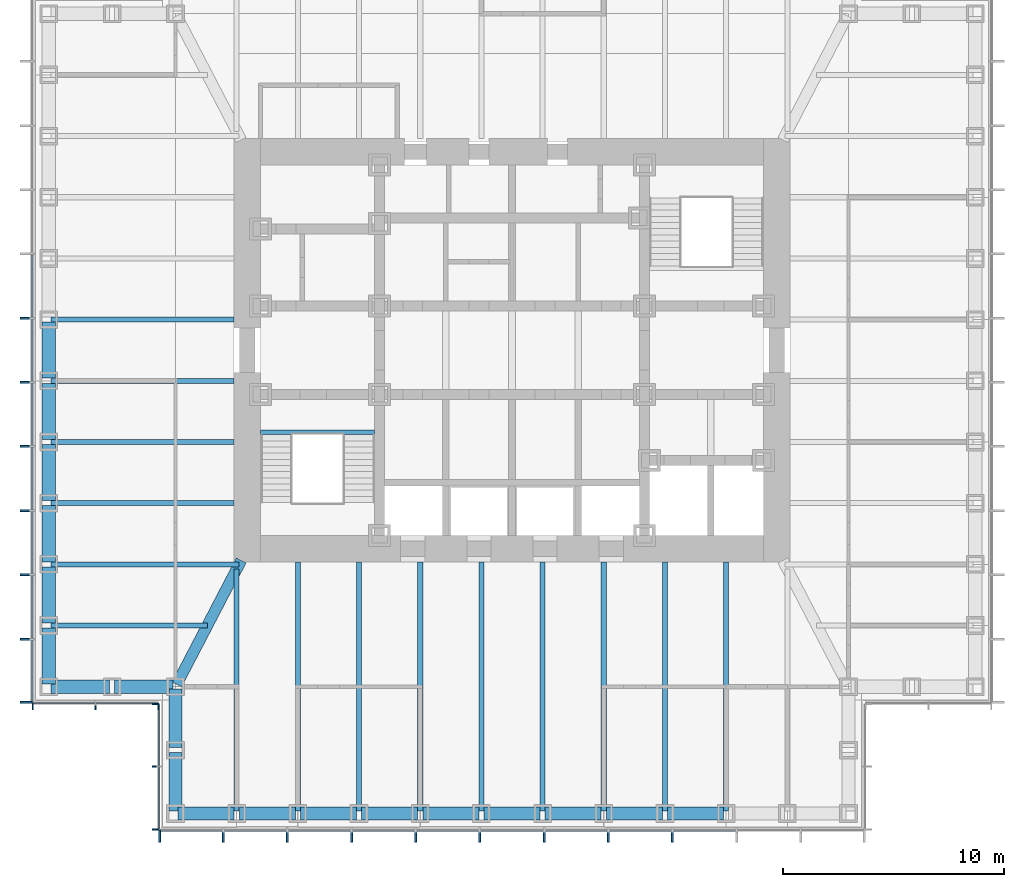
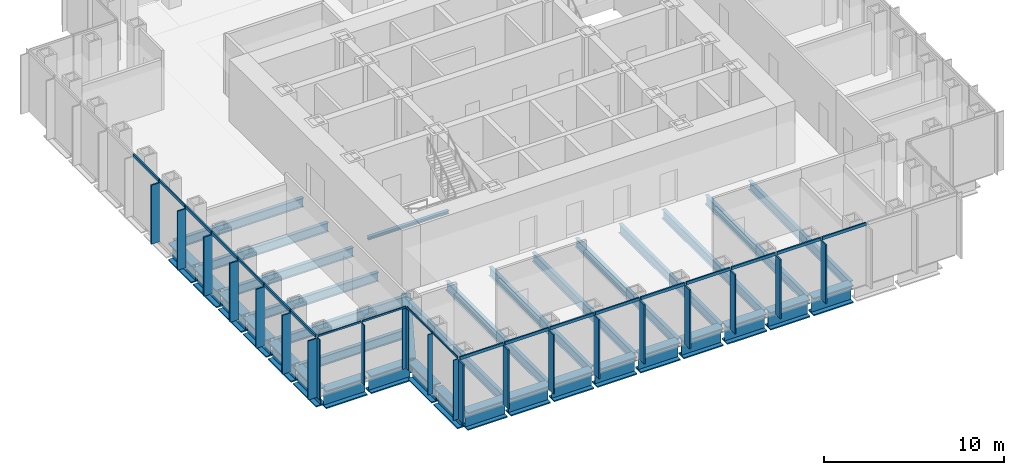
# One storey, part 2 of 16: 42 members, 36 beams, 4 elements without a shape of their own.
"""IFC4 building model written with IfcOpenShell, lengths in metres."""

import ifcopenshell
import ifcopenshell.guid

model = None  # the IFC model being written
_history = None  # IfcOwnerHistory: only IFC2X3 demands one
_inside = {}  # id of a spatial element -> (the spatial element, [elements in it])
_under = {}  # id of a project, library or spatial element -> (it, [spatial elements below it])
_declared = {}  # id of a project -> (the project, [libraries it declares])
_typed = {}  # id of a type object -> (the type object, [elements of that type])
_made_of = {}  # id of a material, layer set ... -> (it, [elements and type objects made of it])


def new_model(schema):
    """Start an empty IFC model of exactly this schema.

    Asked for "IFC4X3", IfcOpenShell would pick the latest addendum, in which some entities
    have other attributes; the version numbers below select the first issue.
    IFC2X3 requires an IfcOwnerHistory on every rooted entity: one is made here for all.
    """
    global model, _history
    if schema == "IFC4X3":
        model = ifcopenshell.file(schema_version=(4, 3, 0, 0))
    else:
        model = ifcopenshell.file(schema=schema)
    _inside.clear()
    _under.clear()
    _declared.clear()
    _typed.clear()
    _made_of.clear()
    _history = None
    if model.schema == "IFC2X3":
        org = make("IfcOrganization", Name="unknown")
        user = make(
            "IfcPersonAndOrganization",
            ThePerson=make("IfcPerson", FamilyName="unknown"),
            TheOrganization=org,
        )
        app = make(
            "IfcApplication",
            ApplicationDeveloper=org,
            Version="unknown",
            ApplicationFullName="unknown",
            ApplicationIdentifier="unknown",
        )
        _history = make(
            "IfcOwnerHistory",
            OwningUser=user,
            OwningApplication=app,
            ChangeAction="ADDED",
            CreationDate=0,
        )
    return model


def make(cls, **values):
    """One entity of the class cls with the attributes given. An attribute that is None is left unset."""
    return model.create_entity(
        cls, **{name: value for name, value in values.items() if value is not None}
    )


def rooted(cls, **values):
    """An entity with a GlobalId (a new one), such as an element, a storey or a relation."""
    return make(cls, GlobalId=ifcopenshell.guid.new(), OwnerHistory=_history, **values)


def si_unit(unit_type, name, prefix=None):
    """IfcSIUnit, for example si_unit("LENGTHUNIT", "METRE", prefix="MILLI")."""
    return make("IfcSIUnit", UnitType=unit_type, Prefix=prefix, Name=name)


def assignment(units):
    """IfcUnitAssignment: the units of a project."""
    return None if units is None else make("IfcUnitAssignment", Units=units)


def point(xyz):
    """IfcCartesianPoint."""
    return None if xyz is None else make("IfcCartesianPoint", Coordinates=xyz)


def direction(xyz):
    """IfcDirection."""
    return None if xyz is None else make("IfcDirection", DirectionRatios=xyz)


def frame(location, z_axis=None, x_axis=None):
    """IfcAxis2Placement3D, a coordinate frame: its origin and axes. An axis left out is left unset."""
    return make(
        "IfcAxis2Placement3D",
        Location=point(location),
        Axis=direction(z_axis),
        RefDirection=direction(x_axis),
    )


def frame_2d(location, x_axis=None):
    """IfcAxis2Placement2D, a coordinate frame in the plane: its origin and x axis."""
    return make(
        "IfcAxis2Placement2D", Location=point(location), RefDirection=direction(x_axis)
    )


def origin():
    """The frame at (0, 0, 0) with its axes left unset."""
    return frame((0.0, 0.0, 0.0))


def origin_2d():
    """The frame at (0, 0) in the plane with its x axis left unset."""
    return frame_2d((0.0, 0.0))


def place(relative_to, where):
    """IfcLocalPlacement: puts the frame where relative to a parent placement (None: the world)."""
    return make(
        "IfcLocalPlacement", PlacementRelTo=relative_to, RelativePlacement=where
    )


def context(
    kind, dimensions, precision=None, world=None, true_north=None, identifier=None
):
    """IfcGeometricRepresentationContext, for example the 3D "Model" context."""
    return make(
        "IfcGeometricRepresentationContext",
        ContextIdentifier=identifier,
        ContextType=kind,
        CoordinateSpaceDimension=dimensions,
        Precision=precision,
        WorldCoordinateSystem=world,
        TrueNorth=true_north,
    )


def subcontext(parent, identifier, kind, view, scale=None):
    """IfcGeometricRepresentationSubContext, for example "Body" below "Model"."""
    return make(
        "IfcGeometricRepresentationSubContext",
        ContextIdentifier=identifier,
        ContextType=kind,
        ParentContext=parent,
        TargetScale=scale,
        TargetView=view,
    )


def project(units=None, contexts=None):
    """IfcProject with its units and contexts."""
    return rooted(
        "IfcProject",
        Name="project",
        RepresentationContexts=contexts,
        UnitsInContext=assignment(units),
    )


def spatial(cls, under=None, at=None, **own):
    """A site, building, storey or space (cls), placed at a placement, below another one or the project."""
    s = rooted(cls, ObjectPlacement=at, **own)
    if under is not None:
        _under.setdefault(under.id(), (under, []))[1].append(s)
    return s


def profile(cls, at=None, kind="AREA", **sizes):
    """A parametric profile (cls). Its sizes go by their IFC names, for example OverallWidth=200.0."""
    return make(cls, ProfileType=kind, Position=at, **sizes)


def rectangle(**sizes):
    """IfcRectangleProfileDef."""
    return profile("IfcRectangleProfileDef", **sizes)


def i_section(**sizes):
    """IfcIShapeProfileDef."""
    return profile("IfcIShapeProfileDef", **sizes)


def extrude(swept, where, along, depth):
    """IfcExtrudedAreaSolid: the profile swept, set in the frame where, extruded along a direction by depth."""
    return make(
        "IfcExtrudedAreaSolid",
        SweptArea=swept,
        Position=where,
        ExtrudedDirection=direction(along),
        Depth=depth,
    )


def shape(context_of_items, identifier, shape_type, items):
    """IfcShapeRepresentation: the items that make up one representation, for example the "Body"."""
    return make(
        "IfcShapeRepresentation",
        ContextOfItems=context_of_items,
        RepresentationIdentifier=identifier,
        RepresentationType=shape_type,
        Items=items,
    )


def material(Name=None, Category=None):
    """IfcMaterial."""
    return make("IfcMaterial", Name=Name, Category=Category)


def material_profile(
    of_material, cross_section, Name=None, Category=None, Priority=None
):
    """IfcMaterialProfile: a cross section and its material."""
    return make(
        "IfcMaterialProfile",
        Name=Name,
        Material=of_material,
        Profile=cross_section,
        Priority=Priority,
        Category=Category,
    )


def profile_set(profiles, Name=None, composite=None):
    """IfcMaterialProfileSet."""
    return make(
        "IfcMaterialProfileSet",
        Name=Name,
        MaterialProfiles=profiles,
        CompositeProfile=composite,
    )


def made_of(thing, what):
    """Note that an element or type object is made of a material, layer set ...; save() writes the relation."""
    if what is not None:
        _made_of.setdefault(what.id(), (what, []))[1].append(thing)
    return thing


def type_object(cls, material=None, **own):
    """A type object (cls), such as IfcWallType, which elements share."""
    return made_of(rooted(cls, **own), material)


def element(
    cls,
    number,
    at=None,
    inside=None,
    cuts=None,
    type_object=None,
    material=None,
    context=None,
    identifier="Body",
    shape_type=None,
    held_by="IfcProductDefinitionShape",
    body=None,
    shapes=None,
    **own,
):
    """One element of the class cls, such as IfcWall. Its Tag is "e" and its number.

    at: its placement. inside: the storey or other place that contains it. cuts: it is an
    opening in that element (IfcRelVoidsElement). A single representation is given by context,
    identifier, shape_type and body (its items); several are given by shapes. held_by: the class
    of the entity that holds the representations. save() writes the other relations.
    """
    e = rooted(cls, Tag="e%d" % number, ObjectPlacement=at, **own)
    if body is not None:
        shapes = [shape(context, identifier, shape_type, body)]
    if shapes is not None:
        e.Representation = make(held_by, Representations=shapes)
    if inside is not None:
        _inside.setdefault(inside.id(), (inside, []))[1].append(e)
    if cuts is not None:
        rooted(
            "IfcRelVoidsElement", RelatingBuildingElement=cuts, RelatedOpeningElement=e
        )
    if type_object is not None:
        _typed.setdefault(type_object.id(), (type_object, []))[1].append(e)
    return made_of(e, material)


def aggregate(whole, parts):
    """IfcRelAggregates: a whole, such as a stair, and the parts it consists of."""
    return rooted("IfcRelAggregates", RelatingObject=whole, RelatedObjects=parts)


def save(model, path):
    """Write the relations noted so far, then the file.

    IfcRelAggregates (storeys below a building ...), IfcRelContainedInSpatialStructure (elements
    in a storey), IfcRelDefinesByType, IfcRelAssociatesMaterial and IfcRelDeclares: one each for
    every whole, place, type object, material and project.
    """
    for whole, parts in _under.values():
        aggregate(whole, parts)
    for where, things in _inside.values():
        rooted(
            "IfcRelContainedInSpatialStructure",
            RelatedElements=things,
            RelatingStructure=where,
        )
    for kind, things in _typed.values():
        rooted("IfcRelDefinesByType", RelatedObjects=things, RelatingType=kind)
    for what, things in _made_of.values():
        rooted("IfcRelAssociatesMaterial", RelatedObjects=things, RelatingMaterial=what)
    for by, libraries in _declared.values():
        rooted("IfcRelDeclares", RelatingContext=by, RelatedDefinitions=libraries)
    model.write(path)


model = new_model("IFC4")

# Units and contexts
model_context = context("Model", 3, precision=1e-05, world=origin(), true_north=direction((0.0, 1.0)))
body_context = subcontext(model_context, "Body", "Model", "MODEL_VIEW")
ifc_project = project(units=[si_unit("LENGTHUNIT", "METRE"), si_unit("AREAUNIT", "SQUARE_METRE"), si_unit("VOLUMEUNIT", "CUBIC_METRE"), si_unit("PLANEANGLEUNIT", "RADIAN"), si_unit("MASSUNIT", "GRAM", prefix="KILO")], contexts=[model_context])

# Site, building, storey
site_placement = place(None, origin())
site = spatial("IfcSite", under=ifc_project, at=site_placement, CompositionType="ELEMENT")
building_placement = place(site_placement, origin())
building = spatial("IfcBuilding", under=site, at=building_placement, Name="Daluyong Arena Tower", CompositionType="ELEMENT")
storey_placement = place(building_placement, frame((0.0, 0.0, 271.300048828125)))
storey = spatial("IfcBuildingStorey", under=building, at=storey_placement, Name="L61", CompositionType="ELEMENT", Elevation=271.300048828125)

# Curtain wall, members
ifc_material_1 = material(Name="Bronze anodised aluminium and glass", Category="aluminium")
curtain_wall_type_1 = type_object("IfcCurtainWallType", Name="Curtain wall CW4", PredefinedType="USERDEFINED", material=ifc_material_1)
curtain_wall_1_placement = place(storey_placement, origin())
curtain_wall_1 = element("IfcCurtainWall", 1, at=curtain_wall_1_placement, inside=storey, type_object=curtain_wall_type_1, Name="curtain wall L61 S", ObjectType="UNITISED CURTAIN WALL", PredefinedType="USERDEFINED")
ifc_material_2 = material(Name="Bronze anodised aluminium fin", Category="aluminium")
ifc_material_profile_1 = material_profile(ifc_material_2, rectangle(XDim=0.550048828125, YDim=0.090087890625, at=origin_2d()))
ifc_profile_set_1 = profile_set([ifc_material_profile_1], Name="Bronze anodised aluminium fin")
member_type_1 = type_object("IfcMemberType", Name="CW4 bronze fin 550x90", PredefinedType="MULLION", material=ifc_profile_set_1)
member_1_placement = place(storey_placement, frame((40.044921875, 57.97509765625, 0.0), z_axis=(0.0, 0.0, 1.0), x_axis=(0.0, 1.0, 0.0)))
member_1 = element("IfcMember", 2, at=member_1_placement, type_object=member_type_1, Name="curtain wall L61 S fin 1", PredefinedType="MULLION", context=body_context, shape_type="SweptSolid", body=[
    extrude(rectangle(XDim=0.550048828125, YDim=0.090087890625, at=origin_2d()), origin(), (0.0, 0.0, 1.0), 4.0),
])
member_2_placement = place(storey_placement, frame((42.9091796875, 57.97509765625, 0.0), z_axis=(0.0, 0.0, 1.0), x_axis=(0.0, 1.0, 0.0)))
member_2 = element("IfcMember", 3, at=member_2_placement, type_object=member_type_1, Name="curtain wall L61 S fin 2", PredefinedType="MULLION", context=body_context, shape_type="SweptSolid", body=[
    extrude(rectangle(XDim=0.550048828125, YDim=0.090087890625, at=origin_2d()), origin(), (0.0, 0.0, 1.0), 4.0),
])
member_3_placement = place(storey_placement, frame((45.818115234375, 57.97509765625, 0.0), z_axis=(0.0, 0.0, 1.0), x_axis=(0.0, 1.0, 0.0)))
member_3 = element("IfcMember", 4, at=member_3_placement, type_object=member_type_1, Name="curtain wall L61 S fin 3", PredefinedType="MULLION", context=body_context, shape_type="SweptSolid", body=[
    extrude(rectangle(XDim=0.550048828125, YDim=0.090087890625, at=origin_2d()), origin(), (0.0, 0.0, 1.0), 4.0),
])
member_4_placement = place(storey_placement, frame((48.727294921875, 57.97509765625, 0.0), z_axis=(0.0, 0.0, 1.0), x_axis=(0.0, 1.0, 0.0)))
member_4 = element("IfcMember", 5, at=member_4_placement, type_object=member_type_1, Name="curtain wall L61 S fin 4", PredefinedType="MULLION", context=body_context, shape_type="SweptSolid", body=[
    extrude(rectangle(XDim=0.550048828125, YDim=0.090087890625, at=origin_2d()), origin(), (0.0, 0.0, 1.0), 4.0),
])
member_5_placement = place(storey_placement, frame((51.636474609375, 57.97509765625, 0.0), z_axis=(0.0, 0.0, 1.0), x_axis=(0.0, 1.0, 0.0)))
member_5 = element("IfcMember", 6, at=member_5_placement, type_object=member_type_1, Name="curtain wall L61 S fin 5", PredefinedType="MULLION", context=body_context, shape_type="SweptSolid", body=[
    extrude(rectangle(XDim=0.550048828125, YDim=0.090087890625, at=origin_2d()), origin(), (0.0, 0.0, 1.0), 4.0),
])
member_6_placement = place(storey_placement, frame((54.54541015625, 57.97509765625, 0.0), z_axis=(0.0, 0.0, 1.0), x_axis=(0.0, 1.0, 0.0)))
member_6 = element("IfcMember", 7, at=member_6_placement, type_object=member_type_1, Name="curtain wall L61 S fin 6", PredefinedType="MULLION", context=body_context, shape_type="SweptSolid", body=[
    extrude(rectangle(XDim=0.550048828125, YDim=0.090087890625, at=origin_2d()), origin(), (0.0, 0.0, 1.0), 4.0),
])
member_7_placement = place(storey_placement, frame((57.45458984375, 57.97509765625, 0.0), z_axis=(0.0, 0.0, 1.0), x_axis=(0.0, 1.0, 0.0)))
member_7 = element("IfcMember", 8, at=member_7_placement, type_object=member_type_1, Name="curtain wall L61 S fin 7", PredefinedType="MULLION", context=body_context, shape_type="SweptSolid", body=[
    extrude(rectangle(XDim=0.550048828125, YDim=0.090087890625, at=origin_2d()), origin(), (0.0, 0.0, 1.0), 4.0),
])
member_8_placement = place(storey_placement, frame((60.363525390625, 57.97509765625, 0.0), z_axis=(0.0, 0.0, 1.0), x_axis=(0.0, 1.0, 0.0)))
member_8 = element("IfcMember", 9, at=member_8_placement, type_object=member_type_1, Name="curtain wall L61 S fin 8", PredefinedType="MULLION", context=body_context, shape_type="SweptSolid", body=[
    extrude(rectangle(XDim=0.550048828125, YDim=0.090087890625, at=origin_2d()), origin(), (0.0, 0.0, 1.0), 4.0),
])
member_9_placement = place(storey_placement, frame((63.272705078125, 57.97509765625, 0.0), z_axis=(0.0, 0.0, 1.0), x_axis=(0.0, 1.0, 0.0)))
member_9 = element("IfcMember", 10, at=member_9_placement, type_object=member_type_1, Name="curtain wall L61 S fin 9", PredefinedType="MULLION", context=body_context, shape_type="SweptSolid", body=[
    extrude(rectangle(XDim=0.550048828125, YDim=0.090087890625, at=origin_2d()), origin(), (0.0, 0.0, 1.0), 4.0),
])

curtain_wall_2_placement = place(storey_placement, origin())
curtain_wall_2 = element("IfcCurtainWall", 11, at=curtain_wall_2_placement, inside=storey, type_object=curtain_wall_type_1, Name="curtain wall L61 W", ObjectType="UNITISED CURTAIN WALL", PredefinedType="USERDEFINED")
member_10_placement = place(storey_placement, frame((33.97509765625, 81.45458984375, 0.0), z_axis=(0.0, 0.0, 1.0), x_axis=(1.0, 0.0, 0.0)))
member_10 = element("IfcMember", 12, at=member_10_placement, type_object=member_type_1, Name="curtain wall L61 W fin 6", PredefinedType="MULLION", context=body_context, shape_type="SweptSolid", body=[
    extrude(rectangle(XDim=0.550048828125, YDim=0.090087890625, at=origin_2d()), origin(), (0.0, 0.0, 1.0), 4.0),
])
member_11_placement = place(storey_placement, frame((33.97509765625, 78.54541015625, 0.0), z_axis=(0.0, 0.0, 1.0), x_axis=(1.0, 0.0, 0.0)))
member_11 = element("IfcMember", 13, at=member_11_placement, type_object=member_type_1, Name="curtain wall L61 W fin 7", PredefinedType="MULLION", context=body_context, shape_type="SweptSolid", body=[
    extrude(rectangle(XDim=0.550048828125, YDim=0.090087890625, at=origin_2d()), origin(), (0.0, 0.0, 1.0), 4.0),
])
member_12_placement = place(storey_placement, frame((33.97509765625, 75.636474609375, 0.0), z_axis=(0.0, 0.0, 1.0), x_axis=(1.0, 0.0, 0.0)))
member_12 = element("IfcMember", 14, at=member_12_placement, type_object=member_type_1, Name="curtain wall L61 W fin 8", PredefinedType="MULLION", context=body_context, shape_type="SweptSolid", body=[
    extrude(rectangle(XDim=0.550048828125, YDim=0.090087890625, at=origin_2d()), origin(), (0.0, 0.0, 1.0), 4.0),
])
member_13_placement = place(storey_placement, frame((33.97509765625, 72.727294921875, 0.0), z_axis=(0.0, 0.0, 1.0), x_axis=(1.0, 0.0, 0.0)))
member_13 = element("IfcMember", 15, at=member_13_placement, type_object=member_type_1, Name="curtain wall L61 W fin 9", PredefinedType="MULLION", context=body_context, shape_type="SweptSolid", body=[
    extrude(rectangle(XDim=0.550048828125, YDim=0.090087890625, at=origin_2d()), origin(), (0.0, 0.0, 1.0), 4.0),
])
member_14_placement = place(storey_placement, frame((33.97509765625, 69.818115234375, 0.0), z_axis=(0.0, 0.0, 1.0), x_axis=(1.0, 0.0, 0.0)))
member_14 = element("IfcMember", 16, at=member_14_placement, type_object=member_type_1, Name="curtain wall L61 W fin 10", PredefinedType="MULLION", context=body_context, shape_type="SweptSolid", body=[
    extrude(rectangle(XDim=0.550048828125, YDim=0.090087890625, at=origin_2d()), origin(), (0.0, 0.0, 1.0), 4.0),
])
member_15_placement = place(storey_placement, frame((33.97509765625, 66.9091796875, 0.0), z_axis=(0.0, 0.0, 1.0), x_axis=(1.0, 0.0, 0.0)))
member_15 = element("IfcMember", 17, at=member_15_placement, type_object=member_type_1, Name="curtain wall L61 W fin 11", PredefinedType="MULLION", context=body_context, shape_type="SweptSolid", body=[
    extrude(rectangle(XDim=0.550048828125, YDim=0.090087890625, at=origin_2d()), origin(), (0.0, 0.0, 1.0), 4.0),
])
member_16_placement = place(storey_placement, frame((33.97509765625, 64.044921875, 0.0), z_axis=(0.0, 0.0, 1.0), x_axis=(1.0, 0.0, 0.0)))
member_16 = element("IfcMember", 18, at=member_16_placement, type_object=member_type_1, Name="curtain wall L61 W fin 12", PredefinedType="MULLION", context=body_context, shape_type="SweptSolid", body=[
    extrude(rectangle(XDim=0.550048828125, YDim=0.090087890625, at=origin_2d()), origin(), (0.0, 0.0, 1.0), 4.0),
])

# Member
ifc_material_3 = material(Name="Bronze anodised aluminium", Category="aluminium")
ifc_material_profile_2 = material_profile(ifc_material_3, rectangle(XDim=0.090087890625, YDim=0.199951171875, at=origin_2d()))
ifc_profile_set_2 = profile_set([ifc_material_profile_2], Name="Bronze anodised aluminium")
member_type_2 = type_object("IfcMemberType", Name="CW4 stack transom 200x90", PredefinedType="USERDEFINED", material=ifc_profile_set_2)
member_17_placement = place(storey_placement, frame((40.090087890625, 58.25, 4.099853515625), z_axis=(1.0, 0.0, 0.0), x_axis=(0.0, 1.0, 0.0)))
member_17 = element("IfcMember", 19, at=member_17_placement, type_object=member_type_2, Name="curtain wall L61 S transom 1", ObjectType="TRANSOM", PredefinedType="USERDEFINED", context=body_context, shape_type="SweptSolid", body=[
    extrude(rectangle(XDim=0.090087890625, YDim=0.199951171875, at=origin_2d()), origin(), (0.0, 0.0, 1.0), 2.77392578125),
])

member_18_placement = place(storey_placement, frame((42.9541015625, 58.25, 4.099853515625), z_axis=(1.0, 0.0, 0.0), x_axis=(0.0, 1.0, 0.0)))
member_18 = element("IfcMember", 20, at=member_18_placement, type_object=member_type_2, Name="curtain wall L61 S transom 2", ObjectType="TRANSOM", PredefinedType="USERDEFINED", context=body_context, shape_type="SweptSolid", body=[
    extrude(rectangle(XDim=0.090087890625, YDim=0.199951171875, at=origin_2d()), origin(), (0.0, 0.0, 1.0), 2.819091796875),
])

member_19_placement = place(storey_placement, frame((45.86328125, 58.25, 4.099853515625), z_axis=(1.0, 0.0, 0.0), x_axis=(0.0, 1.0, 0.0)))
member_19 = element("IfcMember", 21, at=member_19_placement, type_object=member_type_2, Name="curtain wall L61 S transom 3", ObjectType="TRANSOM", PredefinedType="USERDEFINED", context=body_context, shape_type="SweptSolid", body=[
    extrude(rectangle(XDim=0.090087890625, YDim=0.199951171875, at=origin_2d()), origin(), (0.0, 0.0, 1.0), 2.819091796875),
])

member_20_placement = place(storey_placement, frame((48.772216796875, 58.25, 4.099853515625), z_axis=(1.0, 0.0, 0.0), x_axis=(0.0, 1.0, 0.0)))
member_20 = element("IfcMember", 22, at=member_20_placement, type_object=member_type_2, Name="curtain wall L61 S transom 4", ObjectType="TRANSOM", PredefinedType="USERDEFINED", context=body_context, shape_type="SweptSolid", body=[
    extrude(rectangle(XDim=0.090087890625, YDim=0.199951171875, at=origin_2d()), origin(), (0.0, 0.0, 1.0), 2.819091796875),
])

member_21_placement = place(storey_placement, frame((51.681396484375, 58.25, 4.099853515625), z_axis=(1.0, 0.0, 0.0), x_axis=(0.0, 1.0, 0.0)))
member_21 = element("IfcMember", 23, at=member_21_placement, type_object=member_type_2, Name="curtain wall L61 S transom 5", ObjectType="TRANSOM", PredefinedType="USERDEFINED", context=body_context, shape_type="SweptSolid", body=[
    extrude(rectangle(XDim=0.090087890625, YDim=0.199951171875, at=origin_2d()), origin(), (0.0, 0.0, 1.0), 2.819091796875),
])

member_22_placement = place(storey_placement, frame((54.590576171875, 58.25, 4.099853515625), z_axis=(1.0, 0.0, 0.0), x_axis=(0.0, 1.0, 0.0)))
member_22 = element("IfcMember", 24, at=member_22_placement, type_object=member_type_2, Name="curtain wall L61 S transom 6", ObjectType="TRANSOM", PredefinedType="USERDEFINED", context=body_context, shape_type="SweptSolid", body=[
    extrude(rectangle(XDim=0.090087890625, YDim=0.199951171875, at=origin_2d()), origin(), (0.0, 0.0, 1.0), 2.81884765625),
])

member_23_placement = place(storey_placement, frame((57.49951171875, 58.25, 4.099853515625), z_axis=(1.0, 0.0, 0.0), x_axis=(0.0, 1.0, 0.0)))
member_23 = element("IfcMember", 25, at=member_23_placement, type_object=member_type_2, Name="curtain wall L61 S transom 7", ObjectType="TRANSOM", PredefinedType="USERDEFINED", context=body_context, shape_type="SweptSolid", body=[
    extrude(rectangle(XDim=0.090087890625, YDim=0.199951171875, at=origin_2d()), origin(), (0.0, 0.0, 1.0), 2.819091796875),
])

member_24_placement = place(storey_placement, frame((60.40869140625, 58.25, 4.099853515625), z_axis=(1.0, 0.0, 0.0), x_axis=(0.0, 1.0, 0.0)))
member_24 = element("IfcMember", 26, at=member_24_placement, type_object=member_type_2, Name="curtain wall L61 S transom 8", ObjectType="TRANSOM", PredefinedType="USERDEFINED", context=body_context, shape_type="SweptSolid", body=[
    extrude(rectangle(XDim=0.090087890625, YDim=0.199951171875, at=origin_2d()), origin(), (0.0, 0.0, 1.0), 2.819091796875),
])

member_25_placement = place(storey_placement, frame((63.317626953125, 58.25, 4.099853515625), z_axis=(1.0, 0.0, 0.0), x_axis=(0.0, 1.0, 0.0)))
member_25 = element("IfcMember", 27, at=member_25_placement, type_object=member_type_2, Name="curtain wall L61 S transom 9", ObjectType="TRANSOM", PredefinedType="USERDEFINED", context=body_context, shape_type="SweptSolid", body=[
    extrude(rectangle(XDim=0.090087890625, YDim=0.199951171875, at=origin_2d()), origin(), (0.0, 0.0, 1.0), 2.819091796875),
])

aggregate(curtain_wall_1, [member_1, member_2, member_3, member_4, member_5, member_6, member_7, member_8, member_9, member_17, member_18, member_19, member_20, member_21, member_22, member_23, member_24, member_25])

member_26_placement = place(storey_placement, frame((34.25, 84.318603515625, 4.099853515625), z_axis=(0.0, -1.0, 0.0), x_axis=(1.0, 0.0, 0.0)))
member_26 = element("IfcMember", 28, at=member_26_placement, type_object=member_type_2, Name="curtain wall L61 W transom 5", ObjectType="TRANSOM", PredefinedType="USERDEFINED", context=body_context, shape_type="SweptSolid", body=[
    extrude(rectangle(XDim=0.090087890625, YDim=0.199951171875, at=origin_2d()), origin(), (0.0, 0.0, 1.0), 2.819091796875),
])

member_27_placement = place(storey_placement, frame((34.25, 81.409423828125, 4.099853515625), z_axis=(0.0, -1.0, 0.0), x_axis=(1.0, 0.0, 0.0)))
member_27 = element("IfcMember", 29, at=member_27_placement, type_object=member_type_2, Name="curtain wall L61 W transom 6", ObjectType="TRANSOM", PredefinedType="USERDEFINED", context=body_context, shape_type="SweptSolid", body=[
    extrude(rectangle(XDim=0.090087890625, YDim=0.199951171875, at=origin_2d()), origin(), (0.0, 0.0, 1.0), 2.81884765625),
])

member_28_placement = place(storey_placement, frame((34.25, 78.50048828125, 4.099853515625), z_axis=(0.0, -1.0, 0.0), x_axis=(1.0, 0.0, 0.0)))
member_28 = element("IfcMember", 30, at=member_28_placement, type_object=member_type_2, Name="curtain wall L61 W transom 7", ObjectType="TRANSOM", PredefinedType="USERDEFINED", context=body_context, shape_type="SweptSolid", body=[
    extrude(rectangle(XDim=0.090087890625, YDim=0.199951171875, at=origin_2d()), origin(), (0.0, 0.0, 1.0), 2.819091796875),
])

member_29_placement = place(storey_placement, frame((34.25, 75.59130859375, 4.099853515625), z_axis=(0.0, -1.0, 0.0), x_axis=(1.0, 0.0, 0.0)))
member_29 = element("IfcMember", 31, at=member_29_placement, type_object=member_type_2, Name="curtain wall L61 W transom 8", ObjectType="TRANSOM", PredefinedType="USERDEFINED", context=body_context, shape_type="SweptSolid", body=[
    extrude(rectangle(XDim=0.090087890625, YDim=0.199951171875, at=origin_2d()), origin(), (0.0, 0.0, 1.0), 2.819091796875),
])

member_30_placement = place(storey_placement, frame((34.25, 72.682373046875, 4.099853515625), z_axis=(0.0, -1.0, 0.0), x_axis=(1.0, 0.0, 0.0)))
member_30 = element("IfcMember", 32, at=member_30_placement, type_object=member_type_2, Name="curtain wall L61 W transom 9", ObjectType="TRANSOM", PredefinedType="USERDEFINED", context=body_context, shape_type="SweptSolid", body=[
    extrude(rectangle(XDim=0.090087890625, YDim=0.199951171875, at=origin_2d()), origin(), (0.0, 0.0, 1.0), 2.819091796875),
])

member_31_placement = place(storey_placement, frame((34.25, 69.773193359375, 4.099853515625), z_axis=(0.0, -1.0, 0.0), x_axis=(1.0, 0.0, 0.0)))
member_31 = element("IfcMember", 33, at=member_31_placement, type_object=member_type_2, Name="curtain wall L61 W transom 10", ObjectType="TRANSOM", PredefinedType="USERDEFINED", context=body_context, shape_type="SweptSolid", body=[
    extrude(rectangle(XDim=0.090087890625, YDim=0.199951171875, at=origin_2d()), origin(), (0.0, 0.0, 1.0), 2.819091796875),
])

member_32_placement = place(storey_placement, frame((34.25, 66.864013671875, 4.099853515625), z_axis=(0.0, -1.0, 0.0), x_axis=(1.0, 0.0, 0.0)))
member_32 = element("IfcMember", 34, at=member_32_placement, type_object=member_type_2, Name="curtain wall L61 W transom 11", ObjectType="TRANSOM", PredefinedType="USERDEFINED", context=body_context, shape_type="SweptSolid", body=[
    extrude(rectangle(XDim=0.090087890625, YDim=0.199951171875, at=origin_2d()), origin(), (0.0, 0.0, 1.0), 2.77392578125),
])

aggregate(curtain_wall_2, [member_10, member_11, member_12, member_13, member_14, member_15, member_16, member_26, member_27, member_28, member_29, member_30, member_31, member_32])

# Curtain wall, members
ifc_material_4 = material(Name="Bronze anodised aluminium and glass", Category="aluminium")
curtain_wall_type_2 = type_object("IfcCurtainWallType", Name="Curtain wall CW7", PredefinedType="USERDEFINED", material=ifc_material_4)
curtain_wall_3_placement = place(storey_placement, origin())
curtain_wall_3 = element("IfcCurtainWall", 35, at=curtain_wall_3_placement, inside=storey, type_object=curtain_wall_type_2, Name="curtain wall L61 SW-S", ObjectType="UNITISED CURTAIN WALL", PredefinedType="USERDEFINED")
ifc_material_5 = material(Name="Bronze anodised aluminium fin", Category="aluminium")
ifc_material_profile_3 = material_profile(ifc_material_5, rectangle(XDim=0.300048828125, YDim=0.06005859375, at=origin_2d()))
ifc_profile_set_3 = profile_set([ifc_material_profile_3], Name="Bronze anodised aluminium fin")
member_type_3 = type_object("IfcMemberType", Name="CW7 bronze fin 300x60", PredefinedType="MULLION", material=ifc_profile_set_3)
member_33_placement = place(storey_placement, frame((34.280029296875, 63.85009765625, 0.0), z_axis=(0.0, 0.0, 1.0), x_axis=(0.0, 1.0, 0.0)))
member_33 = element("IfcMember", 36, at=member_33_placement, type_object=member_type_3, Name="curtain wall L61 SW-S fin 1", PredefinedType="MULLION", context=body_context, shape_type="SweptSolid", body=[
    extrude(rectangle(XDim=0.300048828125, YDim=0.06005859375, at=origin_2d()), origin(), (0.0, 0.0, 1.0), 4.079833984375),
])
member_34_placement = place(storey_placement, frame((37.125, 63.85009765625, 0.0), z_axis=(0.0, 0.0, 1.0), x_axis=(0.0, 1.0, 0.0)))
member_34 = element("IfcMember", 37, at=member_34_placement, type_object=member_type_3, Name="curtain wall L61 SW-S fin 2", PredefinedType="MULLION", context=body_context, shape_type="SweptSolid", body=[
    extrude(rectangle(XDim=0.300048828125, YDim=0.06005859375, at=origin_2d()), origin(), (0.0, 0.0, 1.0), 4.079833984375),
])
member_35_placement = place(storey_placement, frame((39.969970703125, 63.85009765625, 0.0), z_axis=(0.0, 0.0, 1.0), x_axis=(0.0, 1.0, 0.0)))
member_35 = element("IfcMember", 38, at=member_35_placement, type_object=member_type_3, Name="curtain wall L61 SW-S fin 3", PredefinedType="MULLION", context=body_context, shape_type="SweptSolid", body=[
    extrude(rectangle(XDim=0.300048828125, YDim=0.06005859375, at=origin_2d()), origin(), (0.0, 0.0, 1.0), 4.079833984375),
])

curtain_wall_4_placement = place(storey_placement, origin())
curtain_wall_4 = element("IfcCurtainWall", 39, at=curtain_wall_4_placement, inside=storey, type_object=curtain_wall_type_2, Name="curtain wall L61 SW-W", ObjectType="UNITISED CURTAIN WALL", PredefinedType="USERDEFINED")
member_36_placement = place(storey_placement, frame((39.85009765625, 63.969970703125, 0.0), z_axis=(0.0, 0.0, 1.0), x_axis=(1.0, 0.0, 0.0)))
member_36 = element("IfcMember", 40, at=member_36_placement, type_object=member_type_3, Name="curtain wall L61 SW-W fin 1", PredefinedType="MULLION", context=body_context, shape_type="SweptSolid", body=[
    extrude(rectangle(XDim=0.300048828125, YDim=0.06005859375, at=origin_2d()), origin(), (0.0, 0.0, 1.0), 4.079833984375),
])
member_37_placement = place(storey_placement, frame((39.85009765625, 61.125, 0.0), z_axis=(0.0, 0.0, 1.0), x_axis=(1.0, 0.0, 0.0)))
member_37 = element("IfcMember", 41, at=member_37_placement, type_object=member_type_3, Name="curtain wall L61 SW-W fin 2", PredefinedType="MULLION", context=body_context, shape_type="SweptSolid", body=[
    extrude(rectangle(XDim=0.300048828125, YDim=0.06005859375, at=origin_2d()), origin(), (0.0, 0.0, 1.0), 4.079833984375),
])
member_38_placement = place(storey_placement, frame((39.85009765625, 58.280029296875, 0.0), z_axis=(0.0, 0.0, 1.0), x_axis=(1.0, 0.0, 0.0)))
member_38 = element("IfcMember", 42, at=member_38_placement, type_object=member_type_3, Name="curtain wall L61 SW-W fin 3", PredefinedType="MULLION", context=body_context, shape_type="SweptSolid", body=[
    extrude(rectangle(XDim=0.300048828125, YDim=0.06005859375, at=origin_2d()), origin(), (0.0, 0.0, 1.0), 4.079833984375),
])

# Member
ifc_material_6 = material(Name="Bronze anodised aluminium", Category="aluminium")
ifc_material_profile_4 = material_profile(ifc_material_6, rectangle(XDim=0.06005859375, YDim=0.1201171875, at=origin_2d()))
ifc_profile_set_4 = profile_set([ifc_material_profile_4], Name="Bronze anodised aluminium")
member_type_4 = type_object("IfcMemberType", Name="CW7 stack transom 120x60", PredefinedType="USERDEFINED", material=ifc_profile_set_4)
member_39_placement = place(storey_placement, frame((34.31005859375, 64.0, 4.139892578125), z_axis=(1.0, 0.0, 0.0), x_axis=(0.0, 1.0, 0.0)))
member_39 = element("IfcMember", 43, at=member_39_placement, type_object=member_type_4, Name="curtain wall L61 SW-S transom 1", ObjectType="TRANSOM", PredefinedType="USERDEFINED", context=body_context, shape_type="SweptSolid", body=[
    extrude(rectangle(XDim=0.06005859375, YDim=0.1201171875, at=origin_2d()), origin(), (0.0, 0.0, 1.0), 2.784912109375),
])

member_40_placement = place(storey_placement, frame((37.155029296875, 64.0, 4.139892578125), z_axis=(1.0, 0.0, 0.0), x_axis=(0.0, 1.0, 0.0)))
member_40 = element("IfcMember", 44, at=member_40_placement, type_object=member_type_4, Name="curtain wall L61 SW-S transom 2", ObjectType="TRANSOM", PredefinedType="USERDEFINED", context=body_context, shape_type="SweptSolid", body=[
    extrude(rectangle(XDim=0.06005859375, YDim=0.1201171875, at=origin_2d()), origin(), (0.0, 0.0, 1.0), 2.784912109375),
])

aggregate(curtain_wall_3, [member_33, member_34, member_35, member_39, member_40])

member_41_placement = place(storey_placement, frame((40.0, 63.93994140625, 4.139892578125), z_axis=(0.0, -1.0, 0.0), x_axis=(1.0, 0.0, 0.0)))
member_41 = element("IfcMember", 45, at=member_41_placement, type_object=member_type_4, Name="curtain wall L61 SW-W transom 1", ObjectType="TRANSOM", PredefinedType="USERDEFINED", context=body_context, shape_type="SweptSolid", body=[
    extrude(rectangle(XDim=0.06005859375, YDim=0.1201171875, at=origin_2d()), origin(), (0.0, 0.0, 1.0), 2.784912109375),
])

member_42_placement = place(storey_placement, frame((40.0, 61.094970703125, 4.139892578125), z_axis=(0.0, -1.0, 0.0), x_axis=(1.0, 0.0, 0.0)))
member_42 = element("IfcMember", 46, at=member_42_placement, type_object=member_type_4, Name="curtain wall L61 SW-W transom 2", ObjectType="TRANSOM", PredefinedType="USERDEFINED", context=body_context, shape_type="SweptSolid", body=[
    extrude(rectangle(XDim=0.06005859375, YDim=0.1201171875, at=origin_2d()), origin(), (0.0, 0.0, 1.0), 2.784912109375),
])

aggregate(curtain_wall_4, [member_36, member_37, member_38, member_41, member_42])

# Beams
ifc_material_7 = material(Name="Steel ASTM A572 Grade 50", Category="steel")
ifc_material_profile_5 = material_profile(ifc_material_7, i_section(OverallWidth=0.5, OverallDepth=1.0, WebThickness=0.03, FlangeThickness=0.06, at=origin_2d()))
ifc_profile_set_5 = profile_set([ifc_material_profile_5], Name="Steel ASTM A572 Grade 50")
beam_type_1 = type_object("IfcBeamType", Name="Corner girder TB1000X500", PredefinedType="BEAM", material=ifc_profile_set_5)
beam_1_placement = place(storey_placement, frame((40.802978515625, 64.85205078125, -0.66015625), z_axis=(0.461351522179, 0.887217432754, 0.0), x_axis=(-0.887217432754, 0.461351522179, 0.0)))
element("IfcBeam", 47, at=beam_1_placement, inside=storey, type_object=beam_type_1, Name="corner girder DG2", PredefinedType="BEAM", context=body_context, shape_type="SweptSolid", body=[
    extrude(i_section(OverallWidth=0.5, OverallDepth=1.0, WebThickness=0.03, FlangeThickness=0.06, at=origin_2d()), origin(), (0.0, 0.0, 1.0), 6.32958984375),
])
ifc_material_8 = material(Name="Steel ASTM A992 Grade 50", Category="steel")
ifc_material_profile_6 = material_profile(ifc_material_8, i_section(OverallWidth=0.22900390625, OverallDepth=0.612060546875, WebThickness=0.011962890625, FlangeThickness=0.01953125, at=origin_2d()))
ifc_profile_set_6 = profile_set([ifc_material_profile_6], Name="Steel ASTM A992 Grade 50")
beam_type_2 = type_object("IfcBeamType", Name="Floor beam W24X84", PredefinedType="BEAM", material=ifc_profile_set_6)
beam_2_placement = place(storey_placement, frame((43.522705078125, 59.114990234375, -0.466064453125), z_axis=(0.0, 1.0, 0.0), x_axis=(-1.0, 0.0, 0.0)))
element("IfcBeam", 48, at=beam_2_placement, inside=storey, type_object=beam_type_2, Name="floor beam FB3", PredefinedType="BEAM", context=body_context, shape_type="SweptSolid", body=[
    extrude(i_section(OverallWidth=0.22900390625, OverallDepth=0.612060546875, WebThickness=0.011962890625, FlangeThickness=0.01953125, at=origin_2d()), origin(), (0.0, 0.0, 1.0), 10.96728515625),
])
for number, where, z_axis, x_axis, name in (
    (49, (46.29541015625, 59.114990234375, -0.466064453125), (0.0, 1.0, 0.0), (-1.0, 0.0, 0.0), "floor beam FB3"),
    (50, (49.068115234375, 59.114990234375, -0.466064453125), (0.0, 1.0, 0.0), (-1.0, 0.0, 0.0), "floor beam FB3"),
    (51, (51.8408203125, 59.114990234375, -0.466064453125), (0.0, 1.0, 0.0), (-1.0, 0.0, 0.0), "floor beam FB3"),
    (52, (54.613525390625, 59.114990234375, -0.466064453125), (0.0, 1.0, 0.0), (-1.0, 0.0, 0.0), "floor beam FB3"),
    (53, (57.386474609375, 59.114990234375, -0.466064453125), (0.0, 1.0, 0.0), (-1.0, 0.0, 0.0), "floor beam FB3"),
    (54, (60.1591796875, 59.114990234375, -0.466064453125), (0.0, 1.0, 0.0), (-1.0, 0.0, 0.0), "floor beam FB3"),
    (55, (62.931884765625, 59.114990234375, -0.466064453125), (0.0, 1.0, 0.0), (-1.0, 0.0, 0.0), "floor beam FB3"),
    (56, (65.70458984375, 59.114990234375, -0.466064453125), (0.0, 1.0, 0.0), (-1.0, 0.0, 0.0), "floor beam FB3"),
):
    element("IfcBeam", number, at=place(storey_placement, frame(where, z_axis=z_axis, x_axis=x_axis)), inside=storey, type_object=beam_type_2, Name=name, PredefinedType="BEAM", context=body_context, shape_type="SweptSolid", body=[
        extrude(i_section(OverallWidth=0.22900390625, OverallDepth=0.612060546875, WebThickness=0.011962890625, FlangeThickness=0.01953125, at=origin_2d()), origin(), (0.0, 0.0, 1.0), 11.284912109375),
    ])
for number, where, z_axis, x_axis, name in (
    (57, (35.114990234375, 81.386474609375, -0.466064453125), (1.0, 0.0, 0.0), (0.0, 1.0, 0.0), "floor beam FB3"),
    (58, (35.114990234375, 78.613525390625, -0.466064453125), (1.0, 0.0, 0.0), (0.0, 1.0, 0.0), "floor beam FB3"),
    (59, (35.114990234375, 75.8408203125, -0.466064453125), (1.0, 0.0, 0.0), (0.0, 1.0, 0.0), "floor beam FB3"),
    (60, (35.114990234375, 73.068115234375, -0.466064453125), (1.0, 0.0, 0.0), (0.0, 1.0, 0.0), "floor beam FB3"),
):
    element("IfcBeam", number, at=place(storey_placement, frame(where, z_axis=z_axis, x_axis=x_axis)), inside=storey, type_object=beam_type_2, Name=name, PredefinedType="BEAM", context=body_context, shape_type="SweptSolid", body=[
        extrude(i_section(OverallWidth=0.22900390625, OverallDepth=0.612060546875, WebThickness=0.011962890625, FlangeThickness=0.01953125, at=origin_2d()), origin(), (0.0, 0.0, 1.0), 8.284912109375),
    ])
beam_3_placement = place(storey_placement, frame((35.114990234375, 70.29541015625, -0.466064453125), z_axis=(1.0, 0.0, 0.0), x_axis=(0.0, 1.0, 0.0)))
element("IfcBeam", 61, at=beam_3_placement, inside=storey, type_object=beam_type_2, Name="floor beam FB3", PredefinedType="BEAM", context=body_context, shape_type="SweptSolid", body=[
    extrude(i_section(OverallWidth=0.22900390625, OverallDepth=0.612060546875, WebThickness=0.011962890625, FlangeThickness=0.01953125, at=origin_2d()), origin(), (0.0, 0.0, 1.0), 8.5185546875),
])
beam_4_placement = place(storey_placement, frame((35.114990234375, 67.522705078125, -0.466064453125), z_axis=(1.0, 0.0, 0.0), x_axis=(0.0, 1.0, 0.0)))
element("IfcBeam", 62, at=beam_4_placement, inside=storey, type_object=beam_type_2, Name="floor beam FB3", PredefinedType="BEAM", context=body_context, shape_type="SweptSolid", body=[
    extrude(i_section(OverallWidth=0.22900390625, OverallDepth=0.612060546875, WebThickness=0.011962890625, FlangeThickness=0.01953125, at=origin_2d()), origin(), (0.0, 0.0, 1.0), 7.076904296875),
])
ifc_material_9 = material(Name="Steel ASTM A572 Grade 50", Category="steel")
ifc_material_profile_7 = material_profile(ifc_material_9, i_section(OverallWidth=0.60009765625, OverallDepth=1.199951171875, WebThickness=0.03, FlangeThickness=0.08, at=origin_2d()))
ifc_profile_set_7 = profile_set([ifc_material_profile_7], Name="Steel ASTM A572 Grade 50")
beam_type_3 = type_object("IfcBeamType", Name="Spandrel Z4 PG1200X600", PredefinedType="SPANDREL", material=ifc_profile_set_7)
for number, where, z_axis, x_axis, name in (
    (63, (40.864990234375, 59.0, -0.760009765625), (1.0, 0.0, 0.0), (0.0, 1.0, 0.0), "spandrel z4 SB9"),
    (64, (43.6376953125, 59.0, -0.760009765625), (1.0, 0.0, 0.0), (0.0, 1.0, 0.0), "spandrel z4 SB9"),
    (65, (46.410400390625, 59.0, -0.760009765625), (1.0, 0.0, 0.0), (0.0, 1.0, 0.0), "spandrel z4 SB9"),
    (66, (49.18310546875, 59.0, -0.760009765625), (1.0, 0.0, 0.0), (0.0, 1.0, 0.0), "spandrel z4 SB9"),
    (67, (51.955810546875, 59.0, -0.760009765625), (1.0, 0.0, 0.0), (0.0, 1.0, 0.0), "spandrel z4 SB9"),
):
    element("IfcBeam", number, at=place(storey_placement, frame(where, z_axis=z_axis, x_axis=x_axis)), inside=storey, type_object=beam_type_3, Name=name, PredefinedType="SPANDREL", context=body_context, shape_type="SweptSolid", body=[
        extrude(i_section(OverallWidth=0.60009765625, OverallDepth=1.199951171875, WebThickness=0.03, FlangeThickness=0.08, at=origin_2d()), origin(), (0.0, 0.0, 1.0), 2.542724609375),
    ])
beam_5_placement = place(storey_placement, frame((54.728515625, 59.0, -0.760009765625), z_axis=(1.0, 0.0, 0.0), x_axis=(0.0, 1.0, 0.0)))
element("IfcBeam", 68, at=beam_5_placement, inside=storey, type_object=beam_type_3, Name="spandrel z4 SB9", PredefinedType="SPANDREL", context=body_context, shape_type="SweptSolid", body=[
    extrude(i_section(OverallWidth=0.60009765625, OverallDepth=1.199951171875, WebThickness=0.03, FlangeThickness=0.08, at=origin_2d()), origin(), (0.0, 0.0, 1.0), 2.54296875),
])
for number, where, z_axis, x_axis, name in (
    (69, (57.50146484375, 59.0, -0.760009765625), (1.0, 0.0, 0.0), (0.0, 1.0, 0.0), "spandrel z4 SB9"),
    (70, (60.274169921875, 59.0, -0.760009765625), (1.0, 0.0, 0.0), (0.0, 1.0, 0.0), "spandrel z4 SB9"),
    (71, (63.046875, 59.0, -0.760009765625), (1.0, 0.0, 0.0), (0.0, 1.0, 0.0), "spandrel z4 SB9"),
):
    element("IfcBeam", number, at=place(storey_placement, frame(where, z_axis=z_axis, x_axis=x_axis)), inside=storey, type_object=beam_type_3, Name=name, PredefinedType="SPANDREL", context=body_context, shape_type="SweptSolid", body=[
        extrude(i_section(OverallWidth=0.60009765625, OverallDepth=1.199951171875, WebThickness=0.03, FlangeThickness=0.08, at=origin_2d()), origin(), (0.0, 0.0, 1.0), 2.542724609375),
    ])
beam_6_placement = place(storey_placement, frame((35.0, 81.271484375, -0.760009765625), z_axis=(0.0, -1.0, 0.0), x_axis=(1.0, 0.0, 0.0)))
element("IfcBeam", 72, at=beam_6_placement, inside=storey, type_object=beam_type_3, Name="spandrel z4 SB9", PredefinedType="SPANDREL", context=body_context, shape_type="SweptSolid", body=[
    extrude(i_section(OverallWidth=0.60009765625, OverallDepth=1.199951171875, WebThickness=0.03, FlangeThickness=0.08, at=origin_2d()), origin(), (0.0, 0.0, 1.0), 2.54296875),
])
for number, where, z_axis, x_axis, name in (
    (73, (35.0, 78.49853515625, -0.760009765625), (0.0, -1.0, 0.0), (1.0, 0.0, 0.0), "spandrel z4 SB9"),
    (74, (35.0, 75.725830078125, -0.760009765625), (0.0, -1.0, 0.0), (1.0, 0.0, 0.0), "spandrel z4 SB9"),
    (75, (35.0, 72.953125, -0.760009765625), (0.0, -1.0, 0.0), (1.0, 0.0, 0.0), "spandrel z4 SB9"),
    (76, (35.0, 70.180419921875, -0.760009765625), (0.0, -1.0, 0.0), (1.0, 0.0, 0.0), "spandrel z4 SB9"),
    (77, (35.0, 67.40771484375, -0.760009765625), (0.0, -1.0, 0.0), (1.0, 0.0, 0.0), "spandrel z4 SB9"),
):
    element("IfcBeam", number, at=place(storey_placement, frame(where, z_axis=z_axis, x_axis=x_axis)), inside=storey, type_object=beam_type_3, Name=name, PredefinedType="SPANDREL", context=body_context, shape_type="SweptSolid", body=[
        extrude(i_section(OverallWidth=0.60009765625, OverallDepth=1.199951171875, WebThickness=0.03, FlangeThickness=0.08, at=origin_2d()), origin(), (0.0, 0.0, 1.0), 2.542724609375),
    ])
for number, where, z_axis, x_axis, name in (
    (78, (35.114990234375, 64.75, -0.760009765625), (1.0, 0.0, 0.0), (0.0, 1.0, 0.0), "spandrel z4 SB9"),
    (79, (37.989990234375, 64.75, -0.760009765625), (1.0, 0.0, 0.0), (0.0, 1.0, 0.0), "spandrel z4 SB9"),
    (80, (40.75, 64.635009765625, -0.760009765625), (0.0, -1.0, 0.0), (1.0, 0.0, 0.0), "spandrel z4 SB9"),
    (81, (40.75, 61.760009765625, -0.760009765625), (0.0, -1.0, 0.0), (1.0, 0.0, 0.0), "spandrel z4 SB9"),
):
    element("IfcBeam", number, at=place(storey_placement, frame(where, z_axis=z_axis, x_axis=x_axis)), inside=storey, type_object=beam_type_3, Name=name, PredefinedType="SPANDREL", context=body_context, shape_type="SweptSolid", body=[
        extrude(i_section(OverallWidth=0.60009765625, OverallDepth=1.199951171875, WebThickness=0.03, FlangeThickness=0.08, at=origin_2d()), origin(), (0.0, 0.0, 1.0), 2.64501953125),
    ])
ifc_material_10 = material(Name="Steel ASTM A992 Grade 50", Category="steel")
ifc_material_profile_8 = material_profile(ifc_material_10, i_section(OverallWidth=0.203125, OverallDepth=0.203125, WebThickness=0.00732421875, FlangeThickness=0.010986328125, at=origin_2d()))
ifc_profile_set_8 = profile_set([ifc_material_profile_8], Name="Steel ASTM A992 Grade 50")
beam_type_4 = type_object("IfcBeamType", Name="Stair landing beam W8X31", PredefinedType="BEAM", material=ifc_profile_set_8)
beam_7_placement = place(storey_placement, frame((44.60009765625, 76.276611328125, -0.26171875), z_axis=(1.0, 0.0, 0.0), x_axis=(0.0, 1.0, 0.0)))
element("IfcBeam", 82, at=beam_7_placement, inside=storey, type_object=beam_type_4, Name="exit stair A landing beam", PredefinedType="BEAM", context=body_context, shape_type="SweptSolid", body=[
    extrude(i_section(OverallWidth=0.203125, OverallDepth=0.203125, WebThickness=0.00732421875, FlangeThickness=0.010986328125, at=origin_2d()), origin(), (0.0, 0.0, 1.0), 5.1748046875),
])

save(model, "model.ifc")
